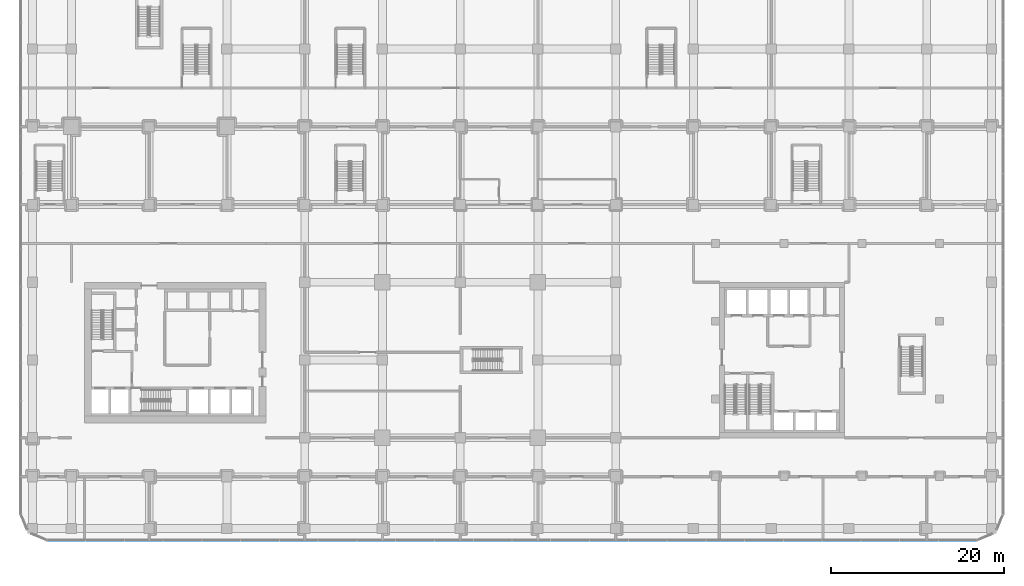
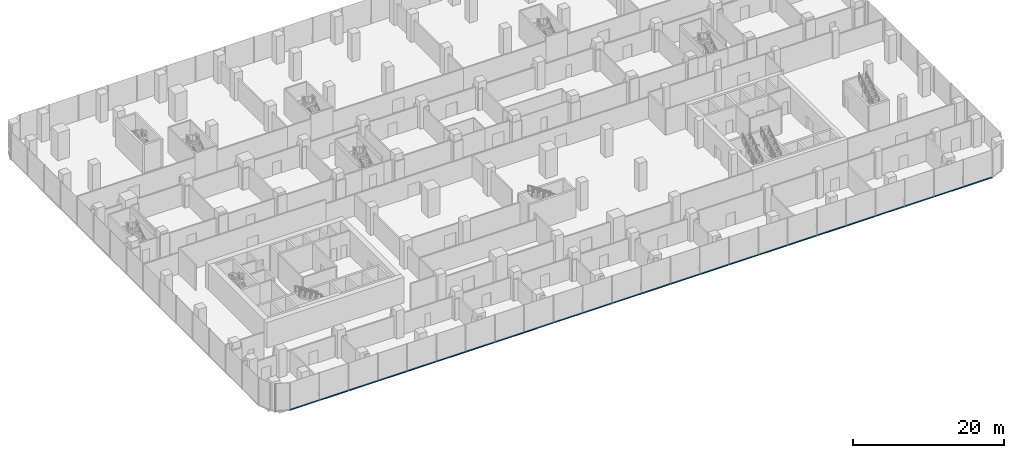
# One storey, part 5 of 43: 1 member, 1 element without a shape of its own.
"""IFC4 building model written with IfcOpenShell, lengths in metres."""

from ifc_helpers import new_model, si_unit, direction, frame, origin, origin_2d, place, context, subcontext, project, spatial, rectangle, extrude, material, layer, layer_set, material_profile, profile_set, type_object, element, aggregate, save


model = new_model("IFC4")

# Units and contexts
model_context = context("Model", 3, precision=1e-05, world=origin(), true_north=direction((0.0, 1.0)))
body_context = subcontext(model_context, "Body", "Model", "MODEL_VIEW")
ifc_project = project(units=[si_unit("LENGTHUNIT", "METRE"), si_unit("AREAUNIT", "SQUARE_METRE"), si_unit("VOLUMEUNIT", "CUBIC_METRE"), si_unit("PLANEANGLEUNIT", "RADIAN"), si_unit("MASSUNIT", "GRAM", prefix="KILO")], contexts=[model_context])

# Site, building, storey
site_placement = place(None, origin())
site = spatial("IfcSite", under=ifc_project, at=site_placement, CompositionType="ELEMENT")
building_placement = place(site_placement, origin())
building = spatial("IfcBuilding", under=site, at=building_placement, Name="Plateau Cross Towers", CompositionType="ELEMENT")
storey_placement = place(building_placement, frame((0.0, 0.0, 12.800048828125)))
storey = spatial("IfcBuildingStorey", under=building, at=storey_placement, Name="L02", CompositionType="ELEMENT", Elevation=12.800048828125)

# Curtain wall, member
ifc_material_1 = material(Name="Dark low-iron laminated glass", Category="glass")
ifc_layer = layer(ifc_material_1, 0.300048828125)
ifc_layer_set = layer_set([ifc_layer], Name="Dark low-iron laminated glass")
curtain_wall_type = type_object("IfcCurtainWallType", Name="Curtain wall structural silicone CW-C", PredefinedType="NOTDEFINED", material=ifc_layer_set)
curtain_wall_placement = place(storey_placement, origin())
curtain_wall = element("IfcCurtainWall", 1, at=curtain_wall_placement, inside=storey, type_object=curtain_wall_type, Name="ENV/P/L02/P-28_-118", PredefinedType="NOTDEFINED")
ifc_material_2 = material(Name="Black anodised aluminium", Category="aluminium")
ifc_material_profile = material_profile(ifc_material_2, rectangle(XDim=0.10009765625, YDim=0.14990234375, at=origin_2d()), Name="TRANSOM 100x150")
ifc_profile_set = profile_set([ifc_material_profile], Name="Black anodised aluminium")
member_type = type_object("IfcMemberType", Name="Transom 100x150 structural silicone", PredefinedType="USERDEFINED", material=ifc_profile_set)
member_placement = place(storey_placement, frame((-2.85009765625, -11.85009765625, -0.275146484375), z_axis=(1.0, 0.0, 0.0), x_axis=(0.0, 1.0, 0.0)))
member = element("IfcMember", 2, at=member_placement, type_object=member_type, Name="CW-C transom", ObjectType="TRANSOM", PredefinedType="USERDEFINED", context=body_context, shape_type="SweptSolid", body=[
    extrude(rectangle(XDim=0.10009765625, YDim=0.14990234375, at=origin_2d()), origin(), (0.0, 0.0, 1.0), 107.7001953125),
])
aggregate(curtain_wall, [member])

save(model, "model.ifc")
